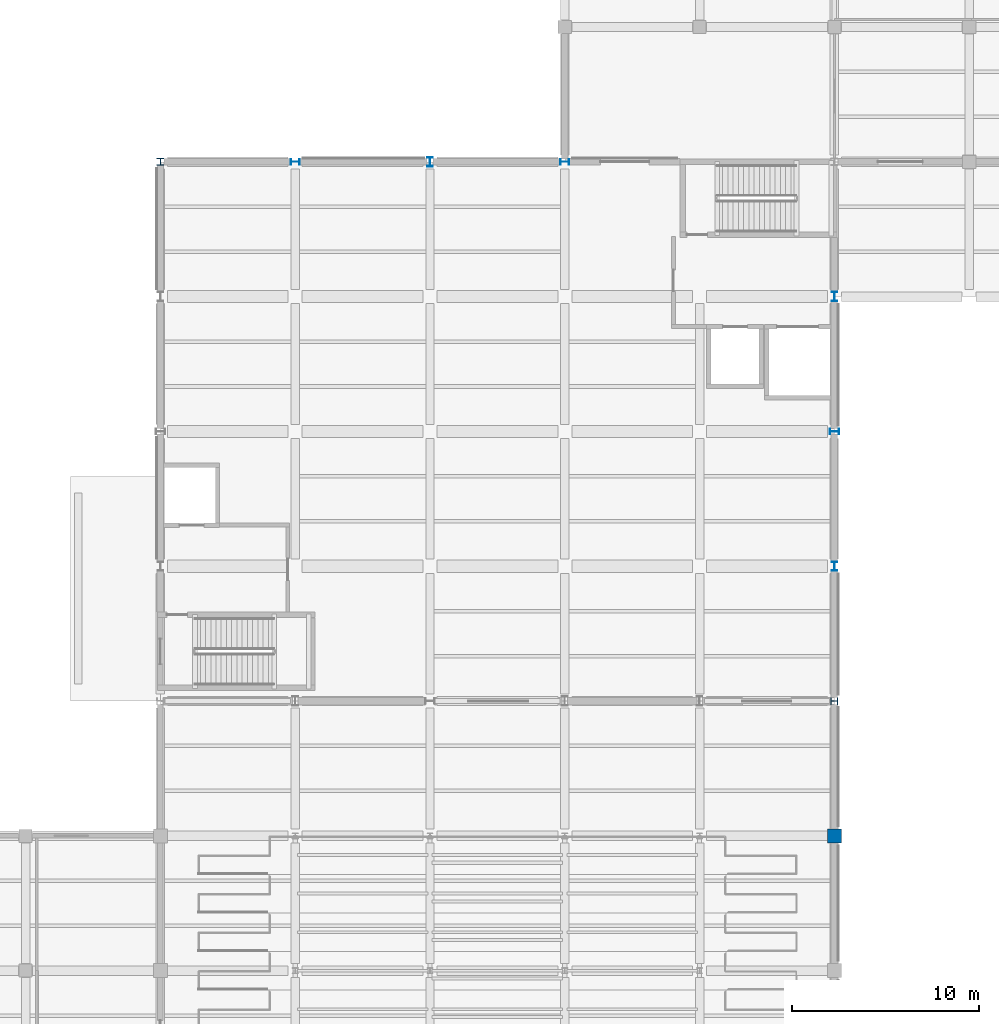
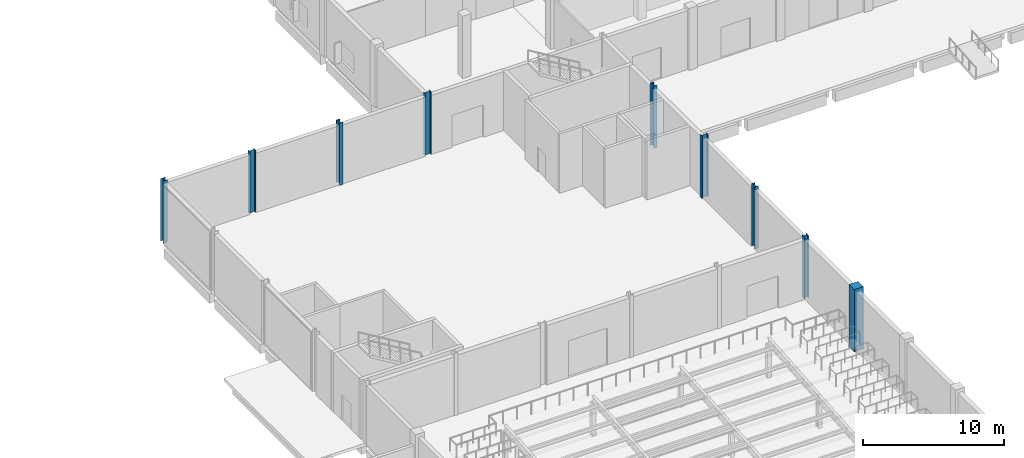
# One storey, part 10 of 46: 9 columns.
"""IFC4 building model written with IfcOpenShell, lengths in metres."""

from ifc_helpers import new_model, si_unit, direction, frame, origin, origin_2d, place, context, subcontext, project, spatial, rectangle, i_section, extrude, material, material_profile, profile_set, type_object, element, save


model = new_model("IFC4")

# Units and contexts
model_context = context("Model", 3, precision=1e-05, world=origin(), true_north=direction((0.0, 1.0)))
body_context = subcontext(model_context, "Body", "Model", "MODEL_VIEW")
ifc_project = project(units=[si_unit("LENGTHUNIT", "METRE"), si_unit("AREAUNIT", "SQUARE_METRE"), si_unit("VOLUMEUNIT", "CUBIC_METRE"), si_unit("PLANEANGLEUNIT", "RADIAN"), si_unit("MASSUNIT", "GRAM", prefix="KILO"), si_unit("THERMODYNAMICTEMPERATUREUNIT", "KELVIN"), si_unit("POWERUNIT", "WATT")], contexts=[model_context])

# Site, building, storey
site_placement = place(None, origin())
site = spatial("IfcSite", under=ifc_project, at=site_placement, CompositionType="ELEMENT")
building_placement = place(site_placement, origin())
building = spatial("IfcBuilding", under=site, at=building_placement, Name="Kaldorven Railside Theatre", CompositionType="ELEMENT")
storey_placement = place(building_placement, origin())
storey = spatial("IfcBuildingStorey", under=building, at=storey_placement, Name="L00", CompositionType="ELEMENT", Elevation=0.0)

# Columns
ifc_material_1 = material(Name="Steel S355", Category="steel")
ifc_material_profile_1 = material_profile(ifc_material_1, i_section(OverallWidth=0.300048828125, OverallDepth=0.5, WebThickness=0.014404296875, FlangeThickness=0.028076171875, at=origin_2d()), Name="HEB 500")
ifc_profile_set_1 = profile_set([ifc_material_profile_1], Name="Steel S355")
column_type_1 = type_object("IfcColumnType", Name="COL-HEB500", PredefinedType="COLUMN", material=ifc_profile_set_1)
for number, where, z_axis, x_axis, name in (
    (1, (123.199951171875, 91.199951171875, 0.0), (0.0, 0.0, 1.0), (1.0, 0.0, 0.0), "L00 Column CG-L00-123-091"),
    (2, (123.199951171875, 98.39990234375, 0.0), (0.0, 0.0, 1.0), (0.0, 1.0, 0.0), "L00 Column CG-L00-123-098"),
    (3, (123.199951171875, 105.60009765625, 0.0), (0.0, 0.0, 1.0), (1.0, 0.0, 0.0), "L00 Column CG-L00-123-105"),
    (4, (94.39990234375, 112.800048828125, 0.0), (0.0, 0.0, 1.0), (0.0, 1.0, 0.0), "L00 Column CG-L00-094-112"),
    (5, (101.60009765625, 112.800048828125, 0.0), (0.0, 0.0, 1.0), (1.0, 0.0, 0.0), "L00 Column CG-L00-101-112"),
    (6, (108.800048828125, 112.800048828125, 0.0), (0.0, 0.0, 1.0), (0.0, 1.0, 0.0), "L00 Column CG-L00-108-112"),
):
    element("IfcColumn", number, at=place(storey_placement, frame(where, z_axis=z_axis, x_axis=x_axis)), inside=storey, type_object=column_type_1, Name=name, PredefinedType="COLUMN", context=body_context, shape_type="SweptSolid", body=[
        extrude(i_section(OverallWidth=0.300048828125, OverallDepth=0.5, WebThickness=0.014404296875, FlangeThickness=0.028076171875, at=origin_2d()), origin(), (0.0, 0.0, 1.0), 5.39990234375),
    ])
ifc_material_2 = material(Name="Concrete C40/50", Category="concrete")
ifc_material_profile_2 = material_profile(ifc_material_2, rectangle(XDim=0.75, YDim=0.75, at=origin_2d()), Name="RC 750x750")
ifc_profile_set_2 = profile_set([ifc_material_profile_2], Name="Concrete C40/50")
column_type_2 = type_object("IfcColumnType", Name="COL-RC750", PredefinedType="COLUMN", material=ifc_profile_set_2)
column_placement = place(storey_placement, frame((123.199951171875, 76.800048828125, 0.0), z_axis=(0.0, 0.0, 1.0), x_axis=(1.0, 0.0, 0.0)))
element("IfcColumn", 7, at=column_placement, inside=storey, type_object=column_type_2, Name="L00 Column CG-L00-123-076", PredefinedType="COLUMN", context=body_context, shape_type="SweptSolid", body=[
    extrude(rectangle(XDim=0.75, YDim=0.75, at=origin_2d()), origin(), (0.0, 0.0, 1.0), 5.39990234375),
])
ifc_material_profile_3 = material_profile(ifc_material_1, i_section(OverallWidth=0.37255859375, OverallDepth=0.3681640625, WebThickness=0.014404296875, FlangeThickness=0.023681640625, at=origin_2d()), Name="UC 356x368x177")
ifc_profile_set_3 = profile_set([ifc_material_profile_3], Name="Steel S355")
column_type_3 = type_object("IfcColumnType", Name="COL-UC356", PredefinedType="COLUMN", material=ifc_profile_set_3)
for number, where, z_axis, x_axis, name in (
    (8, (123.199951171875, 84.0, 0.0), (0.0, 0.0, 1.0), (0.0, 1.0, 0.0), "L00 Column CG-L00-123-084"),
    (9, (87.199951171875, 112.800048828125, 0.0), (0.0, 0.0, 1.0), (1.0, 0.0, 0.0), "L00 Column CG-L00-087-112"),
):
    element("IfcColumn", number, at=place(storey_placement, frame(where, z_axis=z_axis, x_axis=x_axis)), inside=storey, type_object=column_type_3, Name=name, PredefinedType="COLUMN", context=body_context, shape_type="SweptSolid", body=[
        extrude(i_section(OverallWidth=0.37255859375, OverallDepth=0.3681640625, WebThickness=0.014404296875, FlangeThickness=0.023681640625, at=origin_2d()), origin(), (0.0, 0.0, 1.0), 5.39990234375),
    ])

save(model, "model.ifc")
